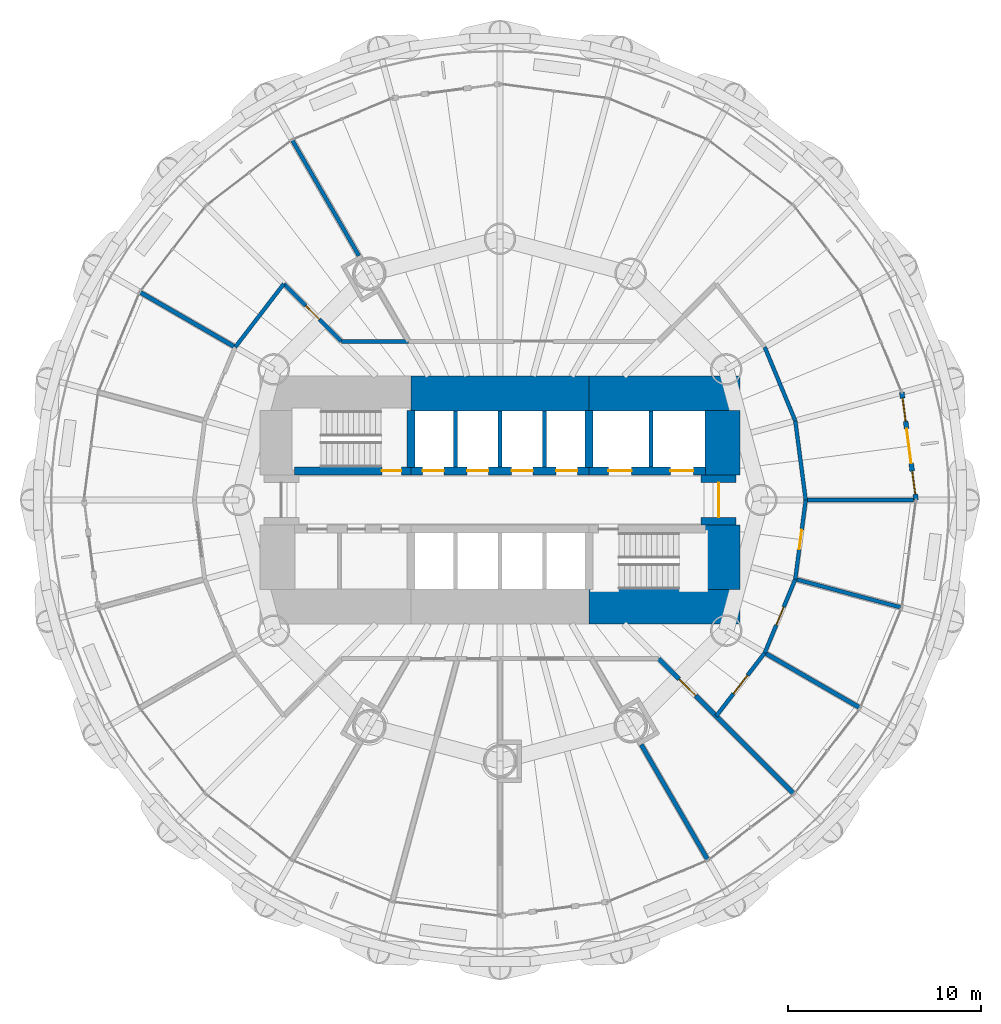
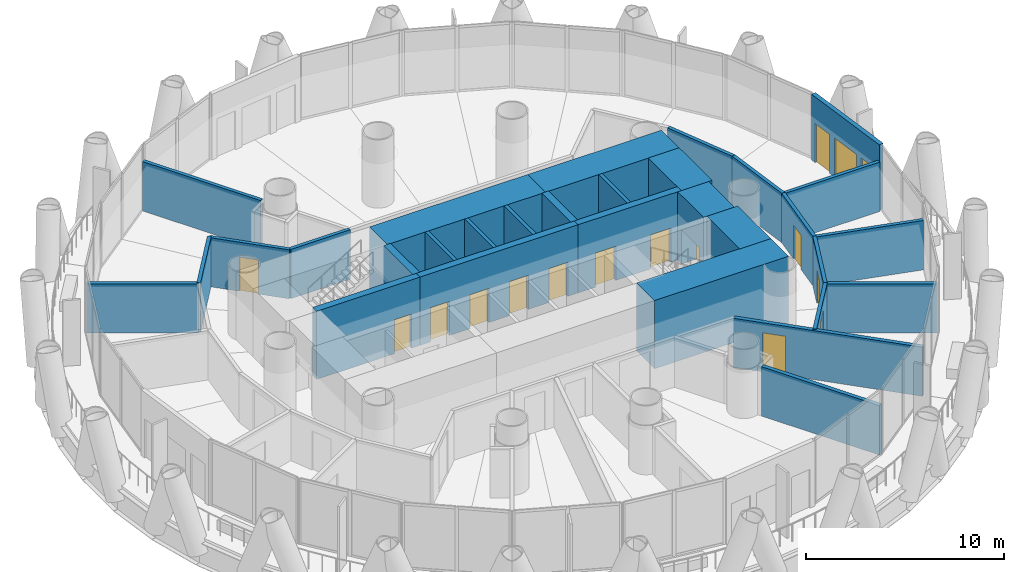
# One storey, part 11 of 16: 31 walls, 14 doors, 2 windows, 16 openings.
"""IFC4 building model written with IfcOpenShell, lengths in metres."""

from ifc_helpers import new_model, si_unit, direction, frame, frame_2d, origin, place, context, subcontext, project, spatial, rectangle, extrude, material, layer, layer_set, type_object, element, fill, save


model = new_model("IFC4")

# Units and contexts
model_context = context("Model", 3, precision=1e-05, world=origin(), true_north=direction((0.0, 1.0)))
body_context = subcontext(model_context, "Body", "Model", "MODEL_VIEW")
ifc_project = project(units=[si_unit("LENGTHUNIT", "METRE"), si_unit("AREAUNIT", "SQUARE_METRE"), si_unit("VOLUMEUNIT", "CUBIC_METRE"), si_unit("PLANEANGLEUNIT", "RADIAN"), si_unit("MASSUNIT", "GRAM", prefix="KILO")], contexts=[model_context])

# Site, building, storey
site_placement = place(None, origin())
site = spatial("IfcSite", under=ifc_project, at=site_placement, CompositionType="ELEMENT")
building_placement = place(site_placement, origin())
building = spatial("IfcBuilding", under=site, at=building_placement, Name="Qaws Media Tower", CompositionType="ELEMENT")
storey_placement = place(building_placement, frame((0.0, 0.0, 38.60009765625)))
storey = spatial("IfcBuildingStorey", under=building, at=storey_placement, Name="L07", CompositionType="ELEMENT", Elevation=38.60009765625)

# Walls
ifc_material_1 = material(Name="Twin metal stud frames, two layers gypsum board each side, insulated, Rw 55", Category="gypsum")
ifc_layer_1 = layer(ifc_material_1, 0.22509765625)
ifc_layer_set_1 = layer_set([ifc_layer_1], Name="Acoustic twin-stud partition 225 Rw 55")
wall_type_1 = type_object("IfcWallType", Name="Acoustic twin-stud partition 225 Rw 55", PredefinedType="PARTITIONING", material=ifc_layer_set_1)
wall_1_placement = place(storey_placement, frame((46.31689453125, 57.89990234375, 0.0), z_axis=(0.0, 0.0, 1.0), x_axis=(-0.86602612668, 0.499998747907, 0.0)))
element("IfcWall", 1, at=wall_1_placement, inside=storey, type_object=wall_type_1, Name="W036 IW6 partition L07", PredefinedType="PARTITIONING", context=body_context, shape_type="SweptSolid", body=[
    extrude(rectangle(XDim=5.66015625, YDim=0.22509765625, at=frame_2d((2.830078125, 0.0))), origin(), (0.0, 0.0, 1.0), 3.039794921875),
])
wall_2_placement = place(storey_placement, frame((67.299072265625, 37.35791015625, 0.0), z_axis=(0.0, 0.0, 1.0), x_axis=(0.499977045301, -0.866038656281, 0.0)))
element("IfcWall", 2, at=wall_2_placement, inside=storey, type_object=wall_type_1, Name="W040 IW6 partition L07", PredefinedType="PARTITIONING", context=body_context, shape_type="SweptSolid", body=[
    extrude(rectangle(XDim=6.862060546875, YDim=0.22509765625, at=frame_2d((3.43115234375, 0.0))), origin(), (0.0, 0.0, 1.0), 3.039794921875),
])

# Wall, opening, door
wall_3_placement = place(storey_placement, frame((68.199951171875, 41.800048828125, 0.0), z_axis=(0.0, 0.0, 1.0), x_axis=(0.707106781187, -0.707106781187, 0.0)))
wall_3 = element("IfcWall", 3, at=wall_3_placement, inside=storey, type_object=wall_type_1, Name="W041 IW6 partition L07", PredefinedType="PARTITIONING", context=body_context, shape_type="SweptSolid", body=[
    extrude(rectangle(XDim=9.863525390625, YDim=0.22509765625, at=frame_2d((4.931640625, 0.0))), origin(), (0.0, 0.0, 1.0), 3.02001953125),
])
opening_1_placement = place(wall_3_placement, frame((1.501708984375, 0.0, 0.0)))
opening_1 = element("IfcOpeningElement", 4, at=opening_1_placement, cuts=wall_3, Name="Opening D14", PredefinedType="OPENING", context=body_context, shape_type="SweptSolid", body=[
    extrude(rectangle(XDim=1.199951171875, YDim=2.39990234375, at=frame_2d((0.60009765625, 1.199951171875))), frame((0.0, 0.12255859375, 0.0), z_axis=(0.0, -1.0, 0.0), x_axis=(1.0, 0.0, 0.0)), (0.0, 0.0, 1.0), 0.2451171875),
])
ifc_material_2 = material(Name="Steel acoustic door set, Rw 45", Category="steel")
door_type_1 = type_object("IfcDoorType", Name="Acoustic door 1200x2400 Rw 45", OperationType="SINGLE_SWING_LEFT", PredefinedType="DOOR", material=ifc_material_2)
door_1_placement = place(opening_1_placement, origin())
door_1 = element("IfcDoor", 5, at=door_1_placement, inside=storey, type_object=door_type_1, Name="D14 Podcast booth door L07 in wall W041", OperationType="SINGLE_SWING_LEFT", OverallHeight=2.39990234375, OverallWidth=1.199951171875, PredefinedType="DOOR", context=body_context, shape_type="SweptSolid", body=[
    extrude(rectangle(XDim=1.199951171875, YDim=2.39990234375, at=frame_2d((0.60009765625, 1.199951171875))), frame((0.0, 0.02490234375, 0.0), z_axis=(0.0, -1.0, 0.0), x_axis=(1.0, 0.0, 0.0)), (0.0, 0.0, 1.0), 0.050048828125),
])
fill(opening_1, door_1)

# Wall
wall_4_placement = place(storey_placement, frame((73.68310546875, 42.10009765625, 0.0), z_axis=(0.0, 0.0, 1.0), x_axis=(0.86602612668, -0.499998747907, 0.0)))
element("IfcWall", 6, at=wall_4_placement, inside=storey, type_object=wall_type_1, Name="W042 IW6 partition L07", PredefinedType="PARTITIONING", context=body_context, shape_type="SweptSolid", body=[
    extrude(rectangle(XDim=5.66015625, YDim=0.22509765625, at=frame_2d((2.830078125, 0.0))), origin(), (0.0, 0.0, 1.0), 3.039794921875),
])

# Wall, openings, door, windows
ifc_material_3 = material(Name="Precast concrete, exposed finish", Category="concrete")
ifc_layer_2 = layer(ifc_material_3, 0.25)
ifc_layer_set_2 = layer_set([ifc_layer_2], Name="Balcony door wall 250")
wall_type_2 = type_object("IfcWallType", Name="Balcony door wall 250", PredefinedType="SOLIDWALL", material=ifc_layer_set_2)
wall_5_placement = place(storey_placement, frame((81.5, 50.0, 0.0), z_axis=(0.0, 0.0, 1.0), x_axis=(-0.130536651449, 0.991443484334, 0.0)))
wall_5 = element("IfcWall", 7, at=wall_5_placement, inside=storey, type_object=wall_type_2, Name="W120 EW1 balcony door wall L07-01", PredefinedType="SOLIDWALL", context=body_context, shape_type="SweptSolid", body=[
    extrude(rectangle(XDim=5.61279296875, YDim=0.25, at=frame_2d((2.806396484375, 0.0))), origin(), (0.0, 0.0, 1.0), 4.039794921875),
])
opening_2_placement = place(wall_5_placement, frame((1.90625, 0.0, 0.0)))
opening_2 = element("IfcOpeningElement", 8, at=opening_2_placement, cuts=wall_5, Name="Opening D7", PredefinedType="OPENING", context=body_context, shape_type="SweptSolid", body=[
    extrude(rectangle(XDim=1.800048828125, YDim=2.39990234375, at=frame_2d((0.89990234375, 1.199951171875))), frame((0.0, 0.135009765625, 0.0), z_axis=(0.0, -1.0, 0.0), x_axis=(1.0, 0.0, 0.0)), (0.0, 0.0, 1.0), 0.27001953125),
])
opening_3_placement = place(wall_5_placement, frame((0.306396484375, 0.0, 0.0)))
opening_3 = element("IfcOpeningElement", 9, at=opening_3_placement, cuts=wall_5, Name="Opening W1", PredefinedType="OPENING", context=body_context, shape_type="SweptSolid", body=[
    extrude(rectangle(XDim=1.199951171875, YDim=2.39990234375, at=frame_2d((0.60009765625, 1.199951171875))), frame((0.0, 0.135009765625, 0.0), z_axis=(0.0, -1.0, 0.0), x_axis=(1.0, 0.0, 0.0)), (0.0, 0.0, 1.0), 0.27001953125),
])
opening_4_placement = place(wall_5_placement, frame((4.106201171875, 0.0, 0.0)))
opening_4 = element("IfcOpeningElement", 10, at=opening_4_placement, cuts=wall_5, Name="Opening W1", PredefinedType="OPENING", context=body_context, shape_type="SweptSolid", body=[
    extrude(rectangle(XDim=1.199951171875, YDim=2.39990234375, at=frame_2d((0.60009765625, 1.199951171875))), frame((0.0, 0.135009765625, 0.0), z_axis=(0.0, -1.0, 0.0), x_axis=(1.0, 0.0, 0.0)), (0.0, 0.0, 1.0), 0.27001953125),
])
ifc_material_4 = material(Name="Aluminium and clear glass", Category="aluminium")
door_type_2 = type_object("IfcDoorType", Name="Balcony door pair 1800", OperationType="DOUBLE_DOOR_SLIDING", PredefinedType="DOOR", material=ifc_material_4)
door_2_placement = place(opening_2_placement, origin())
door_2 = element("IfcDoor", 11, at=door_2_placement, inside=storey, type_object=door_type_2, Name="D7 balcony door L07-01 in wall W120", OperationType="DOUBLE_DOOR_SLIDING", OverallHeight=2.39990234375, OverallWidth=1.800048828125, PredefinedType="DOOR", context=body_context, shape_type="SweptSolid", body=[
    extrude(rectangle(XDim=1.800048828125, YDim=2.39990234375, at=frame_2d((0.89990234375, 1.199951171875))), frame((0.0, 0.02490234375, 0.0), z_axis=(0.0, -1.0, 0.0), x_axis=(1.0, 0.0, 0.0)), (0.0, 0.0, 1.0), 0.050048828125),
])
fill(opening_2, door_2)
ifc_material_5 = material(Name="Aluminium and clear glass", Category="aluminium")
window_type = type_object("IfcWindowType", Name="Balcony side window 1200", PartitioningType="SINGLE_PANEL", PredefinedType="WINDOW", material=ifc_material_5)
window_1_placement = place(opening_3_placement, origin())
window_1 = element("IfcWindow", 12, at=window_1_placement, inside=storey, type_object=window_type, Name="W1 balcony side light L07-01L", OverallHeight=2.39990234375, OverallWidth=1.199951171875, PartitioningType="SINGLE_PANEL", PredefinedType="WINDOW", context=body_context, shape_type="SweptSolid", body=[
    extrude(rectangle(XDim=1.199951171875, YDim=2.39990234375, at=frame_2d((0.60009765625, 1.199951171875))), frame((0.0, 0.030029296875, 0.0), z_axis=(0.0, -1.0, 0.0), x_axis=(1.0, 0.0, 0.0)), (0.0, 0.0, 1.0), 0.06005859375),
])
fill(opening_3, window_1)
window_2_placement = place(opening_4_placement, origin())
window_2 = element("IfcWindow", 13, at=window_2_placement, inside=storey, type_object=window_type, Name="W1 balcony side light L07-01R", OverallHeight=2.39990234375, OverallWidth=1.199951171875, PartitioningType="SINGLE_PANEL", PredefinedType="WINDOW", context=body_context, shape_type="SweptSolid", body=[
    extrude(rectangle(XDim=1.199951171875, YDim=2.39990234375, at=frame_2d((0.60009765625, 1.199951171875))), frame((0.0, 0.030029296875, 0.0), z_axis=(0.0, -1.0, 0.0), x_axis=(1.0, 0.0, 0.0)), (0.0, 0.0, 1.0), 0.06005859375),
])
fill(opening_4, window_2)

# Wall, opening, door
ifc_material_6 = material(Name="Concrete C60/75", Category="concrete")
ifc_layer_3 = layer(ifc_material_6, 0.39990234375)
ifc_layer_set_3 = layer_set([ifc_layer_3], Name="Core inner wall 400")
wall_type_3 = type_object("IfcWallType", Name="Core inner wall 400", PredefinedType="SHEAR", material=ifc_layer_set_3)
wall_6_placement = place(storey_placement, frame((49.3798828125, 51.5, 0.0), z_axis=(0.0, 0.0, 1.0), x_axis=(1.0, 0.0, 0.0)))
wall_6 = element("IfcWall", 14, at=wall_6_placement, inside=storey, type_object=wall_type_3, Name="W311 SW4 core wall SPNW L07", PredefinedType="SHEAR", context=body_context, shape_type="SweptSolid", body=[
    extrude(rectangle(XDim=6.02001953125, YDim=0.39990234375, at=frame_2d((3.010009765625, 0.0))), origin(), (0.0, 0.0, 1.0), 4.199951171875),
])
opening_5_placement = place(wall_6_placement, frame((4.52001953125, 0.0, 0.0)))
opening_5 = element("IfcOpeningElement", 15, at=opening_5_placement, cuts=wall_6, Name="Opening D1", PredefinedType="OPENING", context=body_context, shape_type="SweptSolid", body=[
    extrude(rectangle(XDim=1.0, YDim=2.10009765625, at=frame_2d((0.5, 1.050048828125))), frame((0.0, 0.2099609375, 0.0), z_axis=(0.0, -1.0, 0.0), x_axis=(1.0, 0.0, 0.0)), (0.0, 0.0, 1.0), 0.419921875),
])
ifc_material_7 = material(Name="Steel, fire rated", Category="steel")
door_type_3 = type_object("IfcDoorType", Name="Stair door 1000 FD120", OperationType="SINGLE_SWING_LEFT", PredefinedType="DOOR", material=ifc_material_7)
door_3_placement = place(opening_5_placement, origin())
door_3 = element("IfcDoor", 16, at=door_3_placement, inside=storey, type_object=door_type_3, Name="D1 stair S1 door L07 in wall W311", OperationType="SINGLE_SWING_LEFT", OverallHeight=2.10009765625, OverallWidth=1.0, PredefinedType="DOOR", context=body_context, shape_type="SweptSolid", body=[
    extrude(rectangle(XDim=1.0, YDim=2.10009765625, at=frame_2d((0.5, 1.050048828125))), frame((0.0, 0.02490234375, 0.0), z_axis=(0.0, -1.0, 0.0), x_axis=(1.0, 0.0, 0.0)), (0.0, 0.0, 1.0), 0.050048828125),
])
fill(opening_5, door_3)

# Wall, openings, doors
wall_7_placement = place(storey_placement, frame((55.39990234375, 51.5, 0.0), z_axis=(0.0, 0.0, 1.0), x_axis=(1.0, 0.0, 0.0)))
wall_7 = element("IfcWall", 17, at=wall_7_placement, inside=storey, type_object=wall_type_3, Name="W314 SW4 core wall SPN L07", PredefinedType="SHEAR", context=body_context, shape_type="SweptSolid", body=[
    extrude(rectangle(XDim=9.2001953125, YDim=0.39990234375, at=frame_2d((4.60009765625, 0.0))), origin(), (0.0, 0.0, 1.0), 4.199951171875),
])
opening_6_placement = place(wall_7_placement, frame((0.60009765625, 0.0, 0.0)))
opening_6 = element("IfcOpeningElement", 18, at=opening_6_placement, cuts=wall_7, Name="Opening LD", PredefinedType="OPENING", context=body_context, shape_type="SweptSolid", body=[
    extrude(rectangle(XDim=1.10009765625, YDim=2.10009765625, at=frame_2d((0.550048828125, 1.050048828125))), frame((0.0, 0.2099609375, 0.0), z_axis=(0.0, -1.0, 0.0), x_axis=(1.0, 0.0, 0.0)), (0.0, 0.0, 1.0), 0.419921875),
])
opening_7_placement = place(wall_7_placement, frame((2.89990234375, 0.0, 0.0)))
opening_7 = element("IfcOpeningElement", 19, at=opening_7_placement, cuts=wall_7, Name="Opening LD", PredefinedType="OPENING", context=body_context, shape_type="SweptSolid", body=[
    extrude(rectangle(XDim=1.10009765625, YDim=2.10009765625, at=frame_2d((0.550048828125, 1.050048828125))), frame((0.0, 0.2099609375, 0.0), z_axis=(0.0, -1.0, 0.0), x_axis=(1.0, 0.0, 0.0)), (0.0, 0.0, 1.0), 0.419921875),
])
opening_8_placement = place(wall_7_placement, frame((5.199951171875, 0.0, 0.0)))
opening_8 = element("IfcOpeningElement", 20, at=opening_8_placement, cuts=wall_7, Name="Opening LD", PredefinedType="OPENING", context=body_context, shape_type="SweptSolid", body=[
    extrude(rectangle(XDim=1.10009765625, YDim=2.10009765625, at=frame_2d((0.550048828125, 1.050048828125))), frame((0.0, 0.2099609375, 0.0), z_axis=(0.0, -1.0, 0.0), x_axis=(1.0, 0.0, 0.0)), (0.0, 0.0, 1.0), 0.419921875),
])
opening_9_placement = place(wall_7_placement, frame((7.5, 0.0, 0.0)))
opening_9 = element("IfcOpeningElement", 21, at=opening_9_placement, cuts=wall_7, Name="Opening LD", PredefinedType="OPENING", context=body_context, shape_type="SweptSolid", body=[
    extrude(rectangle(XDim=1.10009765625, YDim=2.10009765625, at=frame_2d((0.550048828125, 1.050048828125))), frame((0.0, 0.2099609375, 0.0), z_axis=(0.0, -1.0, 0.0), x_axis=(1.0, 0.0, 0.0)), (0.0, 0.0, 1.0), 0.419921875),
])
ifc_material_8 = material(Name="Steel, fire rated", Category="steel")
door_type_4 = type_object("IfcDoorType", Name="Lift landing door 1100", OperationType="SLIDING_TO_LEFT", PredefinedType="DOOR", material=ifc_material_8)
door_4_placement = place(opening_6_placement, origin())
door_4 = element("IfcDoor", 22, at=door_4_placement, inside=storey, type_object=door_type_4, Name="P1 landing door L07 in wall W314", OperationType="SLIDING_TO_LEFT", OverallHeight=2.10009765625, OverallWidth=1.10009765625, PredefinedType="DOOR", context=body_context, shape_type="SweptSolid", body=[
    extrude(rectangle(XDim=1.10009765625, YDim=2.10009765625, at=frame_2d((0.550048828125, 1.050048828125))), frame((0.0, 0.02490234375, 0.0), z_axis=(0.0, -1.0, 0.0), x_axis=(1.0, 0.0, 0.0)), (0.0, 0.0, 1.0), 0.050048828125),
])
fill(opening_6, door_4)
door_5_placement = place(opening_7_placement, origin())
door_5 = element("IfcDoor", 23, at=door_5_placement, inside=storey, type_object=door_type_4, Name="P2 landing door L07 in wall W314", OperationType="SLIDING_TO_LEFT", OverallHeight=2.10009765625, OverallWidth=1.10009765625, PredefinedType="DOOR", context=body_context, shape_type="SweptSolid", body=[
    extrude(rectangle(XDim=1.10009765625, YDim=2.10009765625, at=frame_2d((0.550048828125, 1.050048828125))), frame((0.0, 0.02490234375, 0.0), z_axis=(0.0, -1.0, 0.0), x_axis=(1.0, 0.0, 0.0)), (0.0, 0.0, 1.0), 0.050048828125),
])
fill(opening_7, door_5)
door_6_placement = place(opening_8_placement, origin())
door_6 = element("IfcDoor", 24, at=door_6_placement, inside=storey, type_object=door_type_4, Name="P3 landing door L07 in wall W314", OperationType="SLIDING_TO_LEFT", OverallHeight=2.10009765625, OverallWidth=1.10009765625, PredefinedType="DOOR", context=body_context, shape_type="SweptSolid", body=[
    extrude(rectangle(XDim=1.10009765625, YDim=2.10009765625, at=frame_2d((0.550048828125, 1.050048828125))), frame((0.0, 0.02490234375, 0.0), z_axis=(0.0, -1.0, 0.0), x_axis=(1.0, 0.0, 0.0)), (0.0, 0.0, 1.0), 0.050048828125),
])
fill(opening_8, door_6)
door_7_placement = place(opening_9_placement, origin())
door_7 = element("IfcDoor", 25, at=door_7_placement, inside=storey, type_object=door_type_4, Name="P4 landing door L07 in wall W314", OperationType="SLIDING_TO_LEFT", OverallHeight=2.10009765625, OverallWidth=1.10009765625, PredefinedType="DOOR", context=body_context, shape_type="SweptSolid", body=[
    extrude(rectangle(XDim=1.10009765625, YDim=2.10009765625, at=frame_2d((0.550048828125, 1.050048828125))), frame((0.0, 0.02490234375, 0.0), z_axis=(0.0, -1.0, 0.0), x_axis=(1.0, 0.0, 0.0)), (0.0, 0.0, 1.0), 0.050048828125),
])
fill(opening_9, door_7)

wall_8_placement = place(storey_placement, frame((64.60009765625, 51.5, 0.0), z_axis=(0.0, 0.0, 1.0), x_axis=(1.0, 0.0, 0.0)))
wall_8 = element("IfcWall", 26, at=wall_8_placement, inside=storey, type_object=wall_type_3, Name="W318 SW4 core wall SPNE L07", PredefinedType="SHEAR", context=body_context, shape_type="SweptSolid", body=[
    extrude(rectangle(XDim=6.02001953125, YDim=0.39990234375, at=frame_2d((3.010009765625, 0.0))), origin(), (0.0, 0.0, 1.0), 4.199951171875),
])
opening_10_placement = place(wall_8_placement, frame((1.0, 0.0, 0.0)))
opening_10 = element("IfcOpeningElement", 27, at=opening_10_placement, cuts=wall_8, Name="Opening LD2", PredefinedType="OPENING", context=body_context, shape_type="SweptSolid", body=[
    extrude(rectangle(XDim=1.199951171875, YDim=2.10009765625, at=frame_2d((0.60009765625, 1.050048828125))), frame((0.0, 0.2099609375, 0.0), z_axis=(0.0, -1.0, 0.0), x_axis=(1.0, 0.0, 0.0)), (0.0, 0.0, 1.0), 0.419921875),
])
opening_11_placement = place(wall_8_placement, frame((4.199951171875, 0.0, 0.0)))
opening_11 = element("IfcOpeningElement", 28, at=opening_11_placement, cuts=wall_8, Name="Opening LD2", PredefinedType="OPENING", context=body_context, shape_type="SweptSolid", body=[
    extrude(rectangle(XDim=1.199951171875, YDim=2.10009765625, at=frame_2d((0.60009765625, 1.050048828125))), frame((0.0, 0.2099609375, 0.0), z_axis=(0.0, -1.0, 0.0), x_axis=(1.0, 0.0, 0.0)), (0.0, 0.0, 1.0), 0.419921875),
])
ifc_material_9 = material(Name="Steel, fire rated", Category="steel")
door_type_5 = type_object("IfcDoorType", Name="Lift landing door 1200", OperationType="SLIDING_TO_LEFT", PredefinedType="DOOR", material=ifc_material_9)
door_8_placement = place(opening_10_placement, origin())
door_8 = element("IfcDoor", 29, at=door_8_placement, inside=storey, type_object=door_type_5, Name="FL1 landing door L07 in wall W318", OperationType="SLIDING_TO_LEFT", OverallHeight=2.10009765625, OverallWidth=1.199951171875, PredefinedType="DOOR", context=body_context, shape_type="SweptSolid", body=[
    extrude(rectangle(XDim=1.199951171875, YDim=2.10009765625, at=frame_2d((0.60009765625, 1.050048828125))), frame((0.0, 0.02490234375, 0.0), z_axis=(0.0, -1.0, 0.0), x_axis=(1.0, 0.0, 0.0)), (0.0, 0.0, 1.0), 0.050048828125),
])
fill(opening_10, door_8)
door_9_placement = place(opening_11_placement, origin())
door_9 = element("IfcDoor", 30, at=door_9_placement, inside=storey, type_object=door_type_5, Name="FL2 landing door L07 in wall W318", OperationType="SLIDING_TO_LEFT", OverallHeight=2.10009765625, OverallWidth=1.199951171875, PredefinedType="DOOR", context=body_context, shape_type="SweptSolid", body=[
    extrude(rectangle(XDim=1.199951171875, YDim=2.10009765625, at=frame_2d((0.60009765625, 1.050048828125))), frame((0.0, 0.02490234375, 0.0), z_axis=(0.0, -1.0, 0.0), x_axis=(1.0, 0.0, 0.0)), (0.0, 0.0, 1.0), 0.050048828125),
])
fill(opening_11, door_9)

# Walls
for number, where, z_axis, x_axis, name in (
    (31, (55.39990234375, 51.679931640625, 0.0), (0.0, 0.0, 1.0), (0.0, 1.0, 0.0), "W315 SW4 core wall XNW L07"),
    (32, (64.60009765625, 51.679931640625, 0.0), (0.0, 0.0, 1.0), (0.0, 1.0, 0.0), "W319 SW4 core wall XNE L07"),
):
    element("IfcWall", number, at=place(storey_placement, frame(where, z_axis=z_axis, x_axis=x_axis)), inside=storey, type_object=wall_type_3, Name=name, PredefinedType="SHEAR", context=body_context, shape_type="SweptSolid", body=[
        extrude(rectangle(XDim=2.940185546875, YDim=0.39990234375, at=frame_2d((1.47021484375, 0.0))), origin(), (0.0, 0.0, 1.0), 4.199951171875),
    ])
ifc_material_10 = material(Name="Concrete C60/75", Category="concrete")
ifc_layer_4 = layer(ifc_material_10, 1.800048828125)
ifc_layer_set_4 = layer_set([ifc_layer_4], Name="Core wall 1800")
wall_type_4 = type_object("IfcWallType", Name="Core wall 1800", PredefinedType="SHEAR", material=ifc_layer_set_4)
wall_9_placement = place(storey_placement, frame((55.39990234375, 55.5, 0.0), z_axis=(0.0, 0.0, 1.0), x_axis=(1.0, 0.0, 0.0)))
element("IfcWall", 33, at=wall_9_placement, inside=storey, type_object=wall_type_4, Name="W404 SW11 core wall N L07", PredefinedType="SHEAR", context=body_context, shape_type="SweptSolid", body=[
    extrude(rectangle(XDim=9.2001953125, YDim=1.800048828125, at=frame_2d((4.60009765625, 0.0))), origin(), (0.0, 0.0, 1.0), 4.199951171875),
])
for number, where, z_axis, x_axis, name in (
    (34, (64.60009765625, 55.5, 0.0), (0.0, 0.0, 1.0), (1.0, 0.0, 0.0), "W406 SW11 core wall NE L07"),
    (35, (64.60009765625, 44.5, 0.0), (0.0, 0.0, 1.0), (1.0, 0.0, 0.0), "W405 SW11 core wall SE L07"),
):
    element("IfcWall", number, at=place(storey_placement, frame(where, z_axis=z_axis, x_axis=x_axis)), inside=storey, type_object=wall_type_4, Name=name, PredefinedType="SHEAR", context=body_context, shape_type="SweptSolid", body=[
        extrude(rectangle(XDim=7.7998046875, YDim=1.800048828125, at=frame_2d((3.89990234375, 0.0))), origin(), (0.0, 0.0, 1.0), 4.199951171875),
    ])
wall_10_placement = place(storey_placement, frame((71.5, 45.3798828125, 0.0), z_axis=(0.0, 0.0, 1.0), x_axis=(0.0, 1.0, 0.0)))
element("IfcWall", 36, at=wall_10_placement, inside=storey, type_object=wall_type_4, Name="W414 SW11 core wall ES L07", PredefinedType="SHEAR", context=body_context, shape_type="SweptSolid", body=[
    extrude(rectangle(XDim=3.320068359375, YDim=1.800048828125, at=frame_2d((1.66015625, 0.0))), origin(), (0.0, 0.0, 1.0), 4.199951171875),
])

# Wall, opening, door
wall_11_placement = place(storey_placement, frame((71.300048828125, 48.699951171875, 0.0), z_axis=(0.0, 0.0, 1.0), x_axis=(0.0, 1.0, 0.0)))
wall_11 = element("IfcWall", 37, at=wall_11_placement, inside=storey, type_object=wall_type_4, Name="W413 SW11 core wall E L07", PredefinedType="SHEAR", context=body_context, shape_type="SweptSolid", body=[
    extrude(rectangle(XDim=2.60009765625, YDim=1.800048828125, at=frame_2d((1.300048828125, 0.0))), origin(), (0.0, 0.0, 1.0), 4.199951171875),
])
opening_12_placement = place(wall_11_placement, frame((0.39990234375, 0.0, 0.0)))
opening_12 = element("IfcOpeningElement", 38, at=opening_12_placement, cuts=wall_11, Name="Opening D2", PredefinedType="OPENING", context=body_context, shape_type="SweptSolid", body=[
    extrude(rectangle(XDim=1.800048828125, YDim=2.10009765625, at=frame_2d((0.89990234375, 1.050048828125))), frame((0.0, 0.909912109375, 0.0), z_axis=(0.0, -1.0, 0.0), x_axis=(1.0, 0.0, 0.0)), (0.0, 0.0, 1.0), 1.820068359375),
])
ifc_material_11 = material(Name="Steel and glass, fire rated", Category="steel")
door_type_6 = type_object("IfcDoorType", Name="Lobby door pair 1800 FD60", OperationType="DOUBLE_DOOR_DOUBLE_SWING", PredefinedType="DOOR", material=ifc_material_11)
door_10_placement = place(opening_12_placement, origin())
door_10 = element("IfcDoor", 39, at=door_10_placement, inside=storey, type_object=door_type_6, Name="D2 core lobby door E L07 in wall W413", OperationType="DOUBLE_DOOR_DOUBLE_SWING", OverallHeight=2.10009765625, OverallWidth=1.800048828125, PredefinedType="DOOR", context=body_context, shape_type="SweptSolid", body=[
    extrude(rectangle(XDim=1.800048828125, YDim=2.10009765625, at=frame_2d((0.89990234375, 1.050048828125))), frame((0.0, 0.02490234375, 0.0), z_axis=(0.0, -1.0, 0.0), x_axis=(1.0, 0.0, 0.0)), (0.0, 0.0, 1.0), 0.050048828125),
])
fill(opening_12, door_10)

# Walls
wall_12_placement = place(storey_placement, frame((71.5, 51.300048828125, 0.0), z_axis=(0.0, 0.0, 1.0), x_axis=(0.0, 1.0, 0.0)))
element("IfcWall", 40, at=wall_12_placement, inside=storey, type_object=wall_type_4, Name="W415 SW11 core wall EN L07", PredefinedType="SHEAR", context=body_context, shape_type="SweptSolid", body=[
    extrude(rectangle(XDim=3.320068359375, YDim=1.800048828125, at=frame_2d((1.66015625, 0.0))), origin(), (0.0, 0.0, 1.0), 4.199951171875),
])
ifc_material_12 = material(Name="Gypsum board on galvanised metal studs, acoustic double stud, deflection head", Category="gypsum")
ifc_layer_5 = layer(ifc_material_12, 0.199951171875)
ifc_layer_set_5 = layer_set([ifc_layer_5], Name="Room partition 200")
wall_type_5 = type_object("IfcWallType", Name="Room partition 200", PredefinedType="PARTITIONING", material=ifc_layer_set_5)
wall_13_placement = place(storey_placement, frame((46.31689453125, 57.89990234375, 0.0), z_axis=(0.0, 0.0, 1.0), x_axis=(0.608714823874, 0.793389099494, 0.0)))
element("IfcWall", 41, at=wall_13_placement, inside=storey, type_object=wall_type_5, Name="W947 IW3 partition L07", PredefinedType="PARTITIONING", context=body_context, shape_type="SweptSolid", body=[
    extrude(rectangle(XDim=4.124755859375, YDim=0.199951171875, at=frame_2d((2.0625, 0.0))), origin(), (0.0, 0.0, 1.0), 3.039794921875),
])

# Wall, opening, door
wall_14_placement = place(storey_placement, frame((48.82763671875, 61.17236328125, 0.0), z_axis=(0.0, 0.0, 1.0), x_axis=(0.707106781187, -0.707106781187, 0.0)))
wall_14 = element("IfcWall", 42, at=wall_14_placement, inside=storey, type_object=wall_type_5, Name="W961 IW3 partition L07", PredefinedType="PARTITIONING", context=body_context, shape_type="SweptSolid", body=[
    extrude(rectangle(XDim=4.20361328125, YDim=0.199951171875, at=frame_2d((2.101806640625, 0.0))), origin(), (0.0, 0.0, 1.0), 3.02001953125),
])
opening_13_placement = place(wall_14_placement, frame((1.601806640625, 0.0, 0.0)))
opening_13 = element("IfcOpeningElement", 43, at=opening_13_placement, cuts=wall_14, Name="Opening D5", PredefinedType="OPENING", context=body_context, shape_type="SweptSolid", body=[
    extrude(rectangle(XDim=1.0, YDim=2.10009765625, at=frame_2d((0.5, 1.050048828125))), frame((0.0, 0.10986328125, 0.0), z_axis=(0.0, -1.0, 0.0), x_axis=(1.0, 0.0, 0.0)), (0.0, 0.0, 1.0), 0.219970703125),
])
ifc_material_13 = material(Name="Timber veneered, acoustic seal", Category="wood")
door_type_7 = type_object("IfcDoorType", Name="Room door 1000", OperationType="SINGLE_SWING_LEFT", PredefinedType="DOOR", material=ifc_material_13)
door_11_placement = place(opening_13_placement, origin())
door_11 = element("IfcDoor", 44, at=door_11_placement, inside=storey, type_object=door_type_7, Name="D5 Green room door L07 in wall W961", OperationType="SINGLE_SWING_LEFT", OverallHeight=2.10009765625, OverallWidth=1.0, PredefinedType="DOOR", context=body_context, shape_type="SweptSolid", body=[
    extrude(rectangle(XDim=1.0, YDim=2.10009765625, at=frame_2d((0.5, 1.050048828125))), frame((0.0, 0.02490234375, 0.0), z_axis=(0.0, -1.0, 0.0), x_axis=(1.0, 0.0, 0.0)), (0.0, 0.0, 1.0), 0.050048828125),
])
fill(opening_13, door_11)

# Walls
wall_15_placement = place(storey_placement, frame((51.800048828125, 58.199951171875, 0.0), z_axis=(0.0, 0.0, 1.0), x_axis=(1.0, 0.0, 0.0)))
element("IfcWall", 45, at=wall_15_placement, inside=storey, type_object=wall_type_5, Name="W963 IW3 partition L07", PredefinedType="PARTITIONING", context=body_context, shape_type="SweptSolid", body=[
    extrude(rectangle(XDim=3.465576171875, YDim=0.199951171875, at=frame_2d((1.73291015625, 0.0))), origin(), (0.0, 0.0, 1.0), 3.039794921875),
])
wall_16_placement = place(storey_placement, frame((73.68310546875, 57.89990234375, 0.0), z_axis=(0.0, 0.0, 1.0), x_axis=(0.382731667114, -0.923859551549, 0.0)))
element("IfcWall", 46, at=wall_16_placement, inside=storey, type_object=wall_type_5, Name="W956 IW3 partition L07", PredefinedType="PARTITIONING", context=body_context, shape_type="SweptSolid", body=[
    extrude(rectangle(XDim=4.12451171875, YDim=0.199951171875, at=frame_2d((2.062255859375, 0.0))), origin(), (0.0, 0.0, 1.0), 3.039794921875),
])
wall_17_placement = place(storey_placement, frame((75.26171875, 54.08935546875, 0.0), z_axis=(0.0, 0.0, 1.0), x_axis=(0.130515758099, -0.991446234996, 0.0)))
element("IfcWall", 47, at=wall_17_placement, inside=storey, type_object=wall_type_5, Name="W958 IW3 partition L07", PredefinedType="PARTITIONING", context=body_context, shape_type="SweptSolid", body=[
    extrude(rectangle(XDim=4.124755859375, YDim=0.199951171875, at=frame_2d((2.0625, 0.0))), origin(), (0.0, 0.0, 1.0), 3.039794921875),
])

# Wall, opening, door
wall_18_placement = place(storey_placement, frame((75.800048828125, 50.0, 0.0), z_axis=(0.0, 0.0, 1.0), x_axis=(-0.130515758099, -0.991446234996, 0.0)))
wall_18 = element("IfcWall", 48, at=wall_18_placement, inside=storey, type_object=wall_type_5, Name="W959 IW3 partition L07", PredefinedType="PARTITIONING", context=body_context, shape_type="SweptSolid", body=[
    extrude(rectangle(XDim=4.124755859375, YDim=0.199951171875, at=frame_2d((2.0625, 0.0))), origin(), (0.0, 0.0, 1.0), 3.039794921875),
])
opening_14_placement = place(wall_18_placement, frame((1.562255859375, 0.0, 0.0)))
opening_14 = element("IfcOpeningElement", 49, at=opening_14_placement, cuts=wall_18, Name="Opening D5", PredefinedType="OPENING", context=body_context, shape_type="SweptSolid", body=[
    extrude(rectangle(XDim=1.0, YDim=2.10009765625, at=frame_2d((0.5, 1.050048828125))), frame((0.0, 0.10986328125, 0.0), z_axis=(0.0, -1.0, 0.0), x_axis=(1.0, 0.0, 0.0)), (0.0, 0.0, 1.0), 0.219970703125),
])
door_12_placement = place(opening_14_placement, origin())
door_12 = element("IfcDoor", 50, at=door_12_placement, inside=storey, type_object=door_type_7, Name="D5 Ladies toilets door L07 in wall W959", OperationType="SINGLE_SWING_LEFT", OverallHeight=2.10009765625, OverallWidth=1.0, PredefinedType="DOOR", context=body_context, shape_type="SweptSolid", body=[
    extrude(rectangle(XDim=1.0, YDim=2.10009765625, at=frame_2d((0.5, 1.050048828125))), frame((0.0, 0.02490234375, 0.0), z_axis=(0.0, -1.0, 0.0), x_axis=(1.0, 0.0, 0.0)), (0.0, 0.0, 1.0), 0.050048828125),
])
fill(opening_14, door_12)

wall_19_placement = place(storey_placement, frame((75.26171875, 45.91064453125, 0.0), z_axis=(0.0, 0.0, 1.0), x_axis=(-0.382731667114, -0.923859551549, 0.0)))
wall_19 = element("IfcWall", 51, at=wall_19_placement, inside=storey, type_object=wall_type_5, Name="W957 IW3 partition L07", PredefinedType="PARTITIONING", context=body_context, shape_type="SweptSolid", body=[
    extrude(rectangle(XDim=4.12451171875, YDim=0.199951171875, at=frame_2d((2.062255859375, 0.0))), origin(), (0.0, 0.0, 1.0), 3.039794921875),
])
opening_15_placement = place(wall_19_placement, frame((1.562255859375, 0.0, 0.0)))
opening_15 = element("IfcOpeningElement", 52, at=opening_15_placement, cuts=wall_19, Name="Opening D5", PredefinedType="OPENING", context=body_context, shape_type="SweptSolid", body=[
    extrude(rectangle(XDim=1.0, YDim=2.10009765625, at=frame_2d((0.5, 1.050048828125))), frame((0.0, 0.10986328125, 0.0), z_axis=(0.0, -1.0, 0.0), x_axis=(1.0, 0.0, 0.0)), (0.0, 0.0, 1.0), 0.219970703125),
])
door_13_placement = place(opening_15_placement, origin())
door_13 = element("IfcDoor", 53, at=door_13_placement, inside=storey, type_object=door_type_7, Name="D5 Gents toilets door L07 in wall W957", OperationType="SINGLE_SWING_LEFT", OverallHeight=2.10009765625, OverallWidth=1.0, PredefinedType="DOOR", context=body_context, shape_type="SweptSolid", body=[
    extrude(rectangle(XDim=1.0, YDim=2.10009765625, at=frame_2d((0.5, 1.050048828125))), frame((0.0, 0.02490234375, 0.0), z_axis=(0.0, -1.0, 0.0), x_axis=(1.0, 0.0, 0.0)), (0.0, 0.0, 1.0), 0.050048828125),
])
fill(opening_15, door_13)

wall_20_placement = place(storey_placement, frame((73.68310546875, 42.10009765625, 0.0), z_axis=(0.0, 0.0, 1.0), x_axis=(-0.608714823874, -0.793389099494, 0.0)))
wall_20 = element("IfcWall", 54, at=wall_20_placement, inside=storey, type_object=wall_type_5, Name="W954 IW3 partition L07", PredefinedType="PARTITIONING", context=body_context, shape_type="SweptSolid", body=[
    extrude(rectangle(XDim=4.124755859375, YDim=0.199951171875, at=frame_2d((2.0625, 0.0))), origin(), (0.0, 0.0, 1.0), 3.039794921875),
])
opening_16_placement = place(wall_20_placement, frame((1.46240234375, 0.0, 0.0)))
opening_16 = element("IfcOpeningElement", 55, at=opening_16_placement, cuts=wall_20, Name="Opening D14", PredefinedType="OPENING", context=body_context, shape_type="SweptSolid", body=[
    extrude(rectangle(XDim=1.199951171875, YDim=2.39990234375, at=frame_2d((0.60009765625, 1.199951171875))), frame((0.0, 0.10986328125, 0.0), z_axis=(0.0, -1.0, 0.0), x_axis=(1.0, 0.0, 0.0)), (0.0, 0.0, 1.0), 0.219970703125),
])
door_14_placement = place(opening_16_placement, origin())
door_14 = element("IfcDoor", 56, at=door_14_placement, inside=storey, type_object=door_type_1, Name="D14 Music library door L07 in wall W954", OperationType="SINGLE_SWING_LEFT", OverallHeight=2.39990234375, OverallWidth=1.199951171875, PredefinedType="DOOR", context=body_context, shape_type="SweptSolid", body=[
    extrude(rectangle(XDim=1.199951171875, YDim=2.39990234375, at=frame_2d((0.60009765625, 1.199951171875))), frame((0.0, 0.02490234375, 0.0), z_axis=(0.0, -1.0, 0.0), x_axis=(1.0, 0.0, 0.0)), (0.0, 0.0, 1.0), 0.050048828125),
])
fill(opening_16, door_14)

# Walls
wall_21_placement = place(storey_placement, frame((75.800048828125, 50.0, 0.0), z_axis=(0.0, 0.0, 1.0), x_axis=(1.0, 0.0, 0.0)))
element("IfcWall", 57, at=wall_21_placement, inside=storey, type_object=wall_type_5, Name="W983 IW3 partition L07", PredefinedType="PARTITIONING", context=body_context, shape_type="SweptSolid", body=[
    extrude(rectangle(XDim=5.56005859375, YDim=0.199951171875, at=frame_2d((2.780029296875, 0.0))), origin(), (0.0, 0.0, 1.0), 3.039794921875),
])
wall_22_placement = place(storey_placement, frame((52.71337890625, 62.62060546875, 0.0), z_axis=(0.0, 0.0, 1.0), x_axis=(-0.499982264165, 0.866035643331, 0.0)))
element("IfcWall", 58, at=wall_22_placement, inside=storey, type_object=wall_type_5, Name="W981 IW3 partition L07", PredefinedType="PARTITIONING", context=body_context, shape_type="SweptSolid", body=[
    extrude(rectangle(XDim=6.886962890625, YDim=0.199951171875, at=frame_2d((3.443359375, 0.0))), origin(), (0.0, 0.0, 1.0), 3.039794921875),
])
wall_23_placement = place(storey_placement, frame((75.26171875, 45.91064453125, 0.0), z_axis=(0.0, 0.0, 1.0), x_axis=(0.965927834919, -0.258811548677, 0.0)))
element("IfcWall", 59, at=wall_23_placement, inside=storey, type_object=wall_type_5, Name="W982 IW3 partition L07", PredefinedType="PARTITIONING", context=body_context, shape_type="SweptSolid", body=[
    extrude(rectangle(XDim=5.659912109375, YDim=0.199951171875, at=frame_2d((2.830078125, 0.0))), origin(), (0.0, 0.0, 1.0), 3.039794921875),
])
ifc_material_14 = material(Name="Fire-rated gypsum board shaft wall on galvanised metal studs, deflection head", Category="gypsum")
ifc_layer_6 = layer(ifc_material_14, 0.199951171875)
ifc_layer_set_6 = layer_set([ifc_layer_6], Name="Shaft wall 200")
wall_type_6 = type_object("IfcWallType", Name="Shaft wall 200", PredefinedType="PARTITIONING", material=ifc_layer_set_6)
for number, where, z_axis, x_axis, name in (
    (60, (57.699951171875, 51.699951171875, 0.0), (0.0, 0.0, 1.0), (0.0, 1.0, 0.0), "W1842 IW1 shaft wall N1 L07"),
    (61, (60.0, 51.699951171875, 0.0), (0.0, 0.0, 1.0), (0.0, 1.0, 0.0), "W1843 IW1 shaft wall N2 L07"),
    (62, (62.300048828125, 51.699951171875, 0.0), (0.0, 0.0, 1.0), (0.0, 1.0, 0.0), "W1844 IW1 shaft wall N3 L07"),
    (63, (67.800048828125, 51.699951171875, 0.0), (0.0, 0.0, 1.0), (0.0, 1.0, 0.0), "W1845 IW1 shaft wall FL L07"),
):
    element("IfcWall", number, at=place(storey_placement, frame(where, z_axis=z_axis, x_axis=x_axis)), inside=storey, type_object=wall_type_6, Name=name, PredefinedType="PARTITIONING", context=body_context, shape_type="SweptSolid", body=[
        extrude(rectangle(XDim=2.900146484375, YDim=0.199951171875, at=frame_2d((1.4501953125, 0.0))), origin(), (0.0, 0.0, 1.0), 4.199951171875),
    ])

save(model, "model.ifc")
